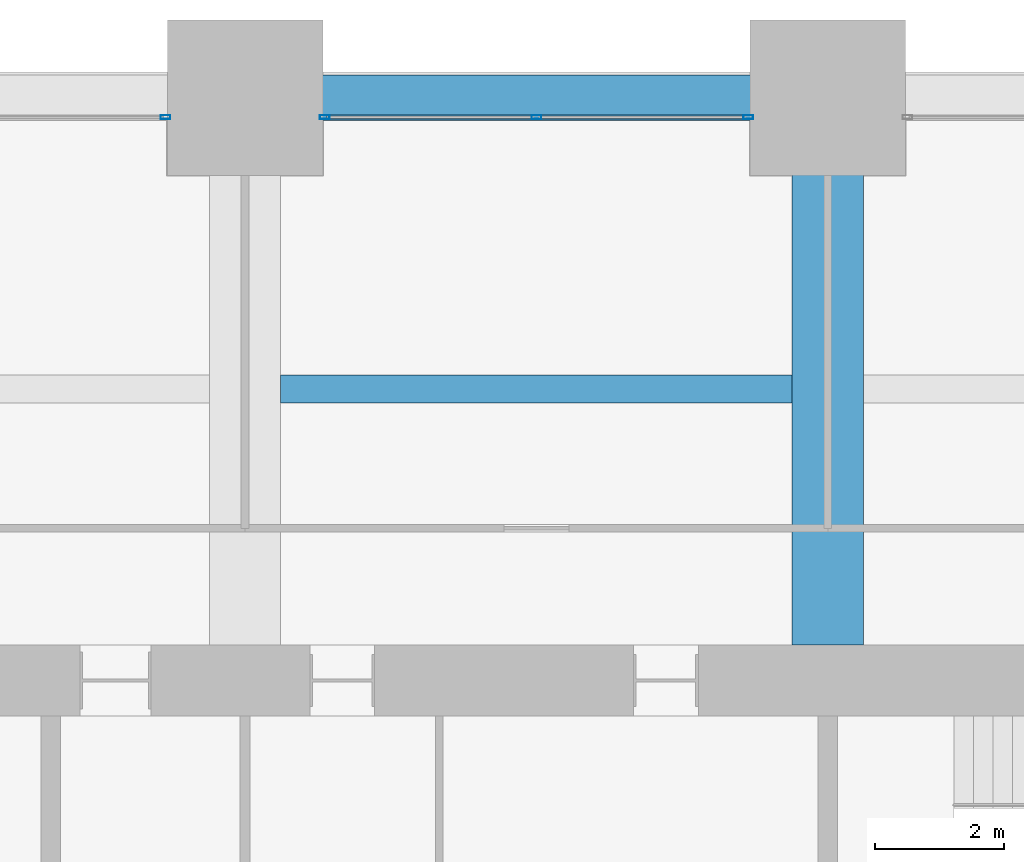
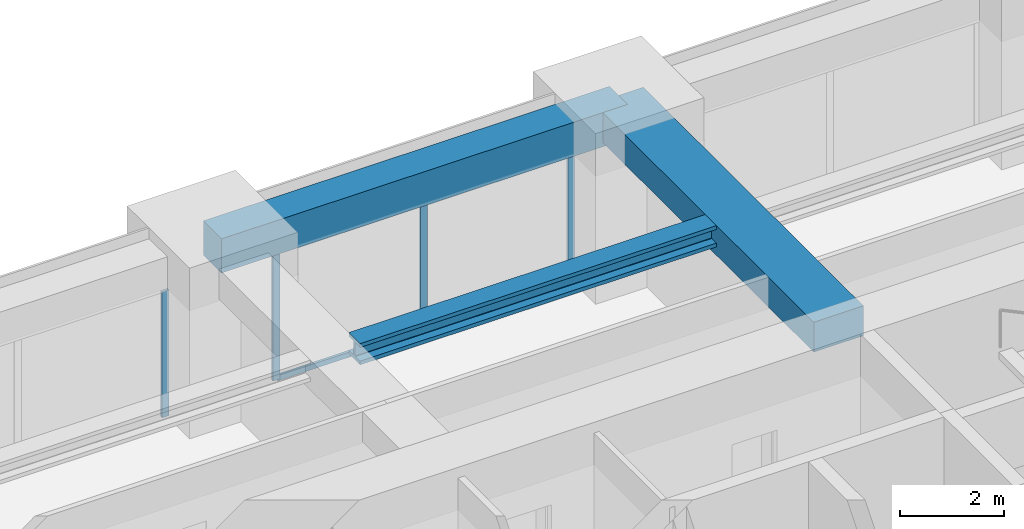
# One storey, part 29 of 39: 5 members, 3 beams, 2 elements without a shape of their own.
"""IFC4 building model written with IfcOpenShell, lengths in metres."""

from ifc_helpers import new_model, si_unit, direction, frame, origin, origin_2d, place, context, subcontext, project, spatial, rectangle, hollow_rectangle, i_section, extrude, material, material_profile, profile_set, type_object, element, aggregate, save


model = new_model("IFC4")

# Units and contexts
model_context = context("Model", 3, precision=1e-05, world=origin(), true_north=direction((0.0, 1.0)))
body_context = subcontext(model_context, "Body", "Model", "MODEL_VIEW")
ifc_project = project(units=[si_unit("LENGTHUNIT", "METRE"), si_unit("AREAUNIT", "SQUARE_METRE"), si_unit("VOLUMEUNIT", "CUBIC_METRE"), si_unit("PLANEANGLEUNIT", "RADIAN"), si_unit("MASSUNIT", "GRAM", prefix="KILO")], contexts=[model_context])

# Site, building, storey
site_placement = place(None, origin())
site = spatial("IfcSite", under=ifc_project, at=site_placement, CompositionType="ELEMENT")
building_placement = place(site_placement, origin())
building = spatial("IfcBuilding", under=site, at=building_placement, Name="Zorevar Civic Tower", CompositionType="ELEMENT")
storey_placement = place(building_placement, frame((0.0, 0.0, 117.0)))
storey = spatial("IfcBuildingStorey", under=building, at=storey_placement, Name="L28", CompositionType="ELEMENT", Elevation=117.0)

# Beam
ifc_material_1 = material(Name="Concrete C50/60", Category="concrete")
ifc_material_profile_1 = material_profile(ifc_material_1, rectangle(XDim=1.10009765625, YDim=0.699951171875, at=origin_2d()), Name="RC 1100x700")
ifc_profile_set_1 = profile_set([ifc_material_profile_1], Name="Concrete C50/60")
beam_type_1 = type_object("IfcBeamType", Name="Beam RC 1100x700", PredefinedType="BEAM", material=ifc_profile_set_1)
beam_1_placement = place(storey_placement, frame((36.0, 36.550048828125, 3.39990234375), z_axis=(0.0, 1.0, 0.0), x_axis=(-1.0, 0.0, 0.0)))
element("IfcBeam", 1, at=beam_1_placement, inside=storey, type_object=beam_type_1, Name="Girder L29", PredefinedType="BEAM", context=body_context, shape_type="SweptSolid", body=[
    extrude(rectangle(XDim=1.10009765625, YDim=0.699951171875, at=origin_2d()), origin(), (0.0, 0.0, 1.0), 8.449951171875),
])

# Curtain wall, member
ifc_material_2 = material(Name="Dark grey solar-control glass in black aluminium frame", Category="aluminium")
curtain_wall_type = type_object("IfcCurtainWallType", Name="Curtain wall CW3 mid zone", PredefinedType="NOTDEFINED", material=ifc_material_2)
curtain_wall_1_placement = place(storey_placement, origin())
curtain_wall_1 = element("IfcCurtainWall", 2, at=curtain_wall_1_placement, inside=storey, type_object=curtain_wall_type, Name="CW3 L28", PredefinedType="NOTDEFINED")
ifc_material_3 = material(Name="Aluminium, black anodised", Category="aluminium")
ifc_material_profile_2 = material_profile(ifc_material_3, hollow_rectangle(XDim=0.06005859375, YDim=0.14990234375, WallThickness=0.00390625, at=origin_2d()), Name="AL 150x60x4")
ifc_profile_set_2 = profile_set([ifc_material_profile_2], Name="Aluminium, black anodised")
member_type_1 = type_object("IfcMemberType", Name="CW3 mullion AL 150x60x4", PredefinedType="MULLION", material=ifc_profile_set_2)
member_1_placement = place(storey_placement, frame((25.77001953125, 44.699951171875, 0.0), z_axis=(0.0, 0.0, 1.0), x_axis=(0.0, 1.0, 0.0)))
member_1 = element("IfcMember", 3, at=member_1_placement, type_object=member_type_1, Name="CW3 mullion 3", PredefinedType="MULLION", context=body_context, shape_type="SweptSolid", body=[
    extrude(hollow_rectangle(XDim=0.06005859375, YDim=0.14990234375, WallThickness=0.00390625, at=origin_2d()), origin(), (0.0, 0.0, 1.0), 2.949951171875),
])
aggregate(curtain_wall_1, [member_1])

# Curtain wall, members
curtain_wall_2_placement = place(storey_placement, origin())
curtain_wall_2 = element("IfcCurtainWall", 4, at=curtain_wall_2_placement, inside=storey, type_object=curtain_wall_type, Name="CW3 L28", PredefinedType="NOTDEFINED")
member_2_placement = place(storey_placement, frame((28.22998046875, 44.699951171875, 0.0), z_axis=(0.0, 0.0, 1.0), x_axis=(0.0, 1.0, 0.0)))
member_2 = element("IfcMember", 5, at=member_2_placement, type_object=member_type_1, Name="CW3 mullion 1", PredefinedType="MULLION", context=body_context, shape_type="SweptSolid", body=[
    extrude(hollow_rectangle(XDim=0.06005859375, YDim=0.14990234375, WallThickness=0.00390625, at=origin_2d()), origin(), (0.0, 0.0, 1.0), 2.949951171875),
])
member_3_placement = place(storey_placement, frame((31.5, 44.699951171875, 0.06005859375), z_axis=(0.0, 0.0, 1.0), x_axis=(0.0, 1.0, 0.0)))
member_3 = element("IfcMember", 6, at=member_3_placement, type_object=member_type_1, Name="CW3 mullion 2", PredefinedType="MULLION", context=body_context, shape_type="SweptSolid", body=[
    extrude(hollow_rectangle(XDim=0.06005859375, YDim=0.14990234375, WallThickness=0.00390625, at=origin_2d()), origin(), (0.0, 0.0, 1.0), 2.889892578125),
])
member_4_placement = place(storey_placement, frame((34.77001953125, 44.699951171875, 0.0), z_axis=(0.0, 0.0, 1.0), x_axis=(0.0, 1.0, 0.0)))
member_4 = element("IfcMember", 7, at=member_4_placement, type_object=member_type_1, Name="CW3 mullion 3", PredefinedType="MULLION", context=body_context, shape_type="SweptSolid", body=[
    extrude(hollow_rectangle(XDim=0.06005859375, YDim=0.14990234375, WallThickness=0.00390625, at=origin_2d()), origin(), (0.0, 0.0, 1.0), 2.949951171875),
])
ifc_material_4 = material(Name="Aluminium, black anodised", Category="aluminium")
ifc_material_profile_3 = material_profile(ifc_material_4, hollow_rectangle(XDim=0.06005859375, YDim=0.1201171875, WallThickness=0.0029296875, at=origin_2d()), Name="AL 120x60x3")
ifc_profile_set_3 = profile_set([ifc_material_profile_3], Name="Aluminium, black anodised")
member_type_2 = type_object("IfcMemberType", Name="CW3 transom AL 120x60x3", PredefinedType="USERDEFINED", material=ifc_profile_set_3)
member_5_placement = place(storey_placement, frame((28.260009765625, 44.699951171875, 0.030029296875), z_axis=(1.0, 0.0, 0.0), x_axis=(0.0, 1.0, 0.0)))
member_5 = element("IfcMember", 8, at=member_5_placement, type_object=member_type_2, Name="CW3 sill transom", ObjectType="TRANSOM", PredefinedType="USERDEFINED", context=body_context, shape_type="SweptSolid", body=[
    extrude(hollow_rectangle(XDim=0.06005859375, YDim=0.1201171875, WallThickness=0.0029296875, at=origin_2d()), origin(), (0.0, 0.0, 1.0), 6.47998046875),
])
aggregate(curtain_wall_2, [member_2, member_3, member_4, member_5])

# Beams
ifc_material_5 = material(Name="Steel S460M (HISTAR 460)", Category="steel")
ifc_material_profile_4 = material_profile(ifc_material_5, i_section(OverallWidth=0.431884765625, OverallDepth=0.498046875, WebThickness=0.0556640625, FlangeThickness=0.0888671875, FilletRadius=0.014892578125, at=origin_2d()), Name="HD 400x744")
ifc_profile_set_4 = profile_set([ifc_material_profile_4], Name="Steel S460M (HISTAR 460)")
beam_type_2 = type_object("IfcBeamType", Name="Core bay beam HD 400x744", PredefinedType="BEAM", material=ifc_profile_set_4)
beam_2_placement = place(storey_placement, frame((27.550048828125, 40.5, 3.5009765625), z_axis=(1.0, 0.0, 0.0), x_axis=(0.0, 1.0, 0.0)))
element("IfcBeam", 9, at=beam_2_placement, inside=storey, type_object=beam_type_2, Name="Secondary beam L29", PredefinedType="BEAM", context=body_context, shape_type="SweptSolid", body=[
    extrude(i_section(OverallWidth=0.431884765625, OverallDepth=0.498046875, WebThickness=0.0556640625, FlangeThickness=0.0888671875, FilletRadius=0.014892578125, at=origin_2d()), origin(), (0.0, 0.0, 1.0), 7.89990234375),
])
ifc_material_6 = material(Name="Concrete C50/60", Category="concrete")
ifc_material_profile_5 = material_profile(ifc_material_6, rectangle(XDim=0.699951171875, YDim=0.800048828125, at=origin_2d()), Name="RC 700x800")
ifc_profile_set_5 = profile_set([ifc_material_profile_5], Name="Concrete C50/60")
beam_type_3 = type_object("IfcBeamType", Name="Edge beam RC 700x800", PredefinedType="SPANDREL", material=ifc_profile_set_5)
beam_3_placement = place(storey_placement, frame((27.0, 45.0, 3.35009765625), z_axis=(1.0, 0.0, 0.0), x_axis=(0.0, 1.0, 0.0)))
element("IfcBeam", 10, at=beam_3_placement, inside=storey, type_object=beam_type_3, Name="Edge beam L29", PredefinedType="SPANDREL", context=body_context, shape_type="SweptSolid", body=[
    extrude(rectangle(XDim=0.699951171875, YDim=0.800048828125, at=origin_2d()), origin(), (0.0, 0.0, 1.0), 9.0),
])

save(model, "model.ifc")
